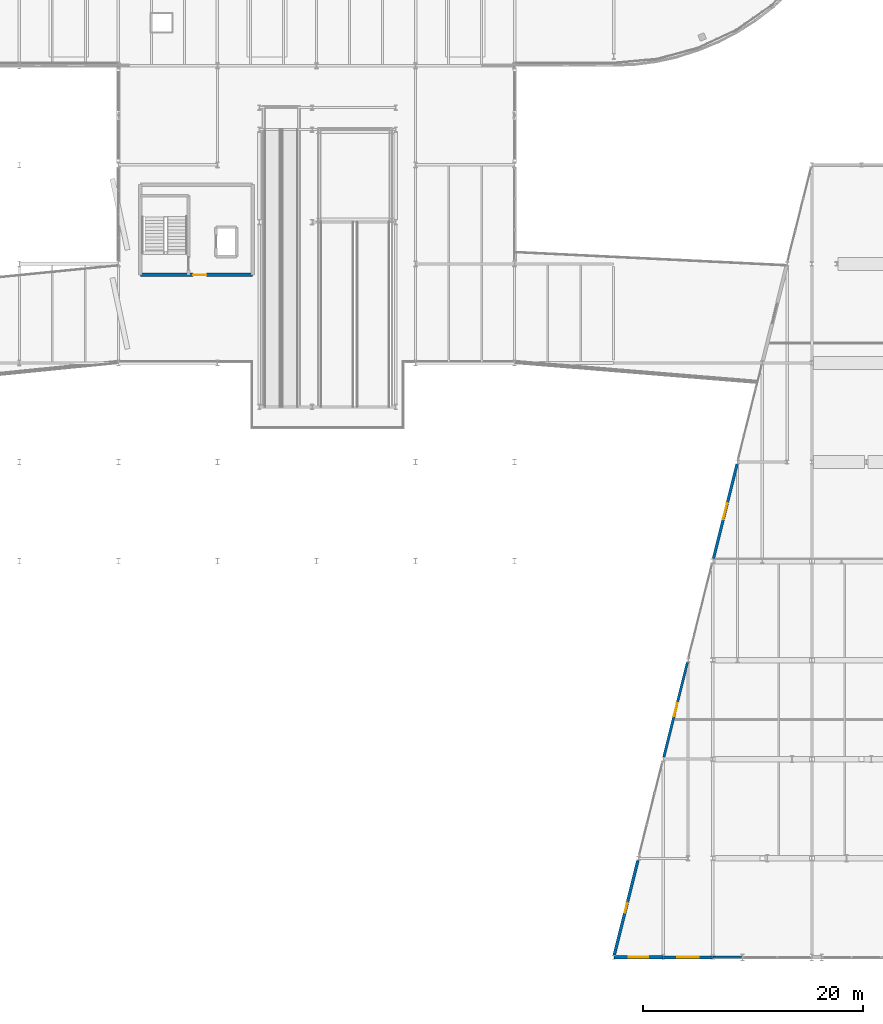
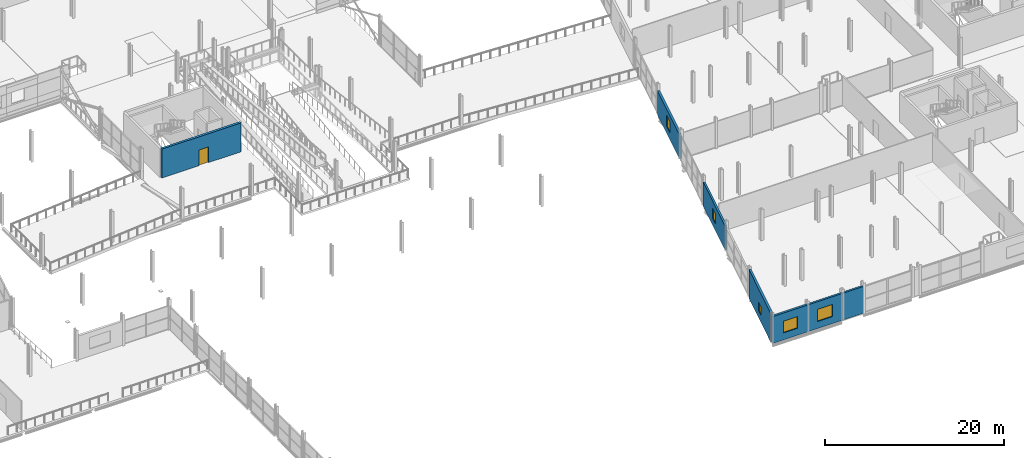
# One storey, part 113 of 135: 7 walls, 5 windows, 1 door, 6 openings.
"""IFC4 building model written with IfcOpenShell, lengths in metres."""

from ifc_helpers import new_model, si_unit, direction, frame, frame_2d, origin, place, context, subcontext, project, spatial, rectangle, extrude, material, layer, layer_set, type_object, element, fill, save


model = new_model("IFC4")

# Units and contexts
model_context = context("Model", 3, precision=1e-05, world=origin(), true_north=direction((0.0, 1.0)))
body_context = subcontext(model_context, "Body", "Model", "MODEL_VIEW")
ifc_project = project(units=[si_unit("LENGTHUNIT", "METRE"), si_unit("AREAUNIT", "SQUARE_METRE"), si_unit("VOLUMEUNIT", "CUBIC_METRE"), si_unit("PLANEANGLEUNIT", "RADIAN"), si_unit("MASSUNIT", "GRAM", prefix="KILO")], contexts=[model_context])

# Site, building, storey
site_placement = place(None, origin())
site = spatial("IfcSite", under=ifc_project, at=site_placement, CompositionType="ELEMENT")
building_placement = place(site_placement, origin())
building = spatial("IfcBuilding", under=site, at=building_placement, Name="Deido Ridge Mobility Hub", CompositionType="ELEMENT")
storey_placement = place(building_placement, frame((0.0, 0.0, 4.199951171875)))
storey = spatial("IfcBuildingStorey", under=building, at=storey_placement, Name="L01", CompositionType="ELEMENT", Elevation=4.199951171875)

# Wall, opening, window
ifc_material_1 = material(Name="Powder-coated aluminium cladding EN AW-3003", Category="aluminium")
ifc_layer_1 = layer(ifc_material_1, 0.22509765625, Name="Powder-coated aluminium cladding EN AW-3003")
ifc_layer_set_1 = layer_set([ifc_layer_1], Name="Powder-coated aluminium cladding EN AW-3003")
wall_type_1 = type_object("IfcWallType", Name="WL-EXT-ALU-225", PredefinedType="STANDARD", material=ifc_layer_set_1)
wall_1_placement = place(storey_placement, frame((121.55126953125, 18.20458984375, 0.0), z_axis=(0.0, 0.0, 1.0), x_axis=(0.242509676291, 0.970148986963, 0.0)))
wall_1 = element("IfcWall", 1, at=wall_1_placement, inside=storey, type_object=wall_type_1, Name="Exterior wall EW6", PredefinedType="STANDARD", context=body_context, shape_type="SweptSolid", body=[
    extrude(rectangle(XDim=8.855224609375, YDim=0.22509765625, at=frame_2d((4.427734375, 0.0))), origin(), (0.0, 0.0, 1.0), 3.320068359375),
])
opening_1_placement = place(wall_1_placement, frame((3.827392578125, 0.0, 0.949951171875)))
opening_1 = element("IfcOpeningElement", 2, at=opening_1_placement, cuts=wall_1, Name="Opening W3", PredefinedType="OPENING", context=body_context, shape_type="SweptSolid", body=[
    extrude(rectangle(XDim=1.199951171875, YDim=1.35009765625, at=frame_2d((0.60009765625, 0.675048828125))), frame((0.0, 0.12255859375, 0.0), z_axis=(0.0, -1.0, 0.0), x_axis=(1.0, 0.0, 0.0)), (0.0, 0.0, 1.0), 0.2451171875),
])
ifc_material_2 = material(Name="Laminated solar-control low-E glass", Category="glass")
window_type_1 = type_object("IfcWindowType", Name="WN-ALU-1200X1350", PartitioningType="SINGLE_PANEL", PredefinedType="WINDOW", material=ifc_material_2)
window_1_placement = place(opening_1_placement, origin())
window_1 = element("IfcWindow", 3, at=window_1_placement, inside=storey, type_object=window_type_1, Name="Exterior window W3", OverallHeight=1.35009765625, OverallWidth=1.199951171875, PartitioningType="SINGLE_PANEL", PredefinedType="WINDOW", context=body_context, shape_type="SweptSolid", body=[
    extrude(rectangle(XDim=1.199951171875, YDim=1.35009765625, at=frame_2d((0.60009765625, 0.675048828125))), frame((0.0, 0.030029296875, 0.0), z_axis=(0.0, -1.0, 0.0), x_axis=(1.0, 0.0, 0.0)), (0.0, 0.0, 1.0), 0.06005859375),
])
fill(opening_1, window_1)

# Wall
ifc_material_3 = material(Name="Concrete blockwork masonry", Category="masonry")
ifc_layer_2 = layer(ifc_material_3, 0.2451171875, Name="Concrete blockwork masonry")
ifc_layer_set_2 = layer_set([ifc_layer_2], Name="Concrete blockwork masonry")
wall_type_2 = type_object("IfcWallType", Name="WL-EXT-BLK-245", PredefinedType="STANDARD", material=ifc_layer_set_2)
wall_2_placement = place(storey_placement, frame((126.0087890625, 0.0, 0.0), z_axis=(0.0, 0.0, 1.0), x_axis=(1.0, 0.0, 0.0)))
element("IfcWall", 4, at=wall_2_placement, inside=storey, type_object=wall_type_2, Name="Exterior wall EW4", PredefinedType="STANDARD", context=body_context, shape_type="SweptSolid", body=[
    extrude(rectangle(XDim=2.68359375, YDim=0.2451171875, at=frame_2d((1.341796875, 0.0))), origin(), (0.0, 0.0, 1.0), 3.650146484375),
])

# Wall, opening, window
ifc_layer_3 = layer(ifc_material_3, 0.264892578125, Name="Concrete blockwork masonry")
ifc_layer_set_3 = layer_set([ifc_layer_3], Name="Concrete blockwork masonry")
wall_type_3 = type_object("IfcWallType", Name="WL-EXT-BLK-265", PredefinedType="STANDARD", material=ifc_layer_set_3)
wall_3_placement = place(storey_placement, frame((121.507080078125, 0.0, 0.0), z_axis=(0.0, 0.0, 1.0), x_axis=(1.0, 0.0, 0.0)))
wall_3 = element("IfcWall", 5, at=wall_3_placement, inside=storey, type_object=wall_type_3, Name="Exterior wall EW3", PredefinedType="STANDARD", context=body_context, shape_type="SweptSolid", body=[
    extrude(rectangle(XDim=4.484130859375, YDim=0.264892578125, at=frame_2d((2.2421875, 0.0))), origin(), (0.0, 0.0, 1.0), 3.650146484375),
])
opening_2_placement = place(wall_3_placement, frame((1.26708984375, 0.0, 0.949951171875)))
opening_2 = element("IfcOpeningElement", 6, at=opening_2_placement, cuts=wall_3, Name="Opening W8", PredefinedType="OPENING", context=body_context, shape_type="SweptSolid", body=[
    extrude(rectangle(XDim=1.949951171875, YDim=1.64990234375, at=frame_2d((0.97509765625, 0.824951171875))), frame((0.0, 0.142578125, 0.0), z_axis=(0.0, -1.0, 0.0), x_axis=(1.0, 0.0, 0.0)), (0.0, 0.0, 1.0), 0.284912109375),
])
window_type_2 = type_object("IfcWindowType", Name="WN-ALU-1950X1650", PartitioningType="DOUBLE_PANEL_VERTICAL", PredefinedType="WINDOW", material=ifc_material_2)
window_2_placement = place(opening_2_placement, origin())
window_2 = element("IfcWindow", 7, at=window_2_placement, inside=storey, type_object=window_type_2, Name="Exterior window W8", OverallHeight=1.64990234375, OverallWidth=1.949951171875, PartitioningType="SINGLE_PANEL", PredefinedType="WINDOW", context=body_context, shape_type="SweptSolid", body=[
    extrude(rectangle(XDim=1.949951171875, YDim=1.64990234375, at=frame_2d((0.97509765625, 0.824951171875))), frame((0.0, 0.030029296875, 0.0), z_axis=(0.0, -1.0, 0.0), x_axis=(1.0, 0.0, 0.0)), (0.0, 0.0, 1.0), 0.06005859375),
])
fill(opening_2, window_2)

wall_4_placement = place(storey_placement, frame((117.05126953125, 0.20458984375, 0.0), z_axis=(0.0, 0.0, 1.0), x_axis=(0.242509676291, 0.970148986963, 0.0)))
wall_4 = element("IfcWall", 8, at=wall_4_placement, inside=storey, type_object=wall_type_3, Name="Exterior wall EW3", PredefinedType="STANDARD", context=body_context, shape_type="SweptSolid", body=[
    extrude(rectangle(XDim=8.855224609375, YDim=0.264892578125, at=frame_2d((4.427734375, 0.0))), origin(), (0.0, 0.0, 1.0), 3.945068359375),
])
opening_3_placement = place(wall_4_placement, frame((3.9775390625, 0.0, 0.949951171875)))
opening_3 = element("IfcOpeningElement", 9, at=opening_3_placement, cuts=wall_4, Name="Opening W1", PredefinedType="OPENING", context=body_context, shape_type="SweptSolid", body=[
    extrude(rectangle(XDim=0.89990234375, YDim=1.199951171875, at=frame_2d((0.449951171875, 0.60009765625))), frame((0.0, 0.142578125, 0.0), z_axis=(0.0, -1.0, 0.0), x_axis=(1.0, 0.0, 0.0)), (0.0, 0.0, 1.0), 0.284912109375),
])
window_type_3 = type_object("IfcWindowType", Name="WN-ALU-900X1200", PartitioningType="SINGLE_PANEL", PredefinedType="WINDOW", material=ifc_material_2)
window_3_placement = place(opening_3_placement, origin())
window_3 = element("IfcWindow", 10, at=window_3_placement, inside=storey, type_object=window_type_3, Name="Exterior window W1", OverallHeight=1.199951171875, OverallWidth=0.89990234375, PartitioningType="SINGLE_PANEL", PredefinedType="WINDOW", context=body_context, shape_type="SweptSolid", body=[
    extrude(rectangle(XDim=0.89990234375, YDim=1.199951171875, at=frame_2d((0.449951171875, 0.60009765625))), frame((0.0, 0.030029296875, 0.0), z_axis=(0.0, -1.0, 0.0), x_axis=(1.0, 0.0, 0.0)), (0.0, 0.0, 1.0), 0.06005859375),
])
fill(opening_3, window_3)

ifc_material_4 = material(Name="Fired clay brick masonry", Category="masonry")
ifc_layer_4 = layer(ifc_material_4, 0.294921875, Name="Fired clay brick masonry")
ifc_layer_set_4 = layer_set([ifc_layer_4], Name="Fired clay brick masonry")
wall_type_4 = type_object("IfcWallType", Name="WL-EXT-BRK-295", PredefinedType="STANDARD", material=ifc_layer_set_4)
wall_5_placement = place(storey_placement, frame((117.006103515625, 0.0, 0.0), z_axis=(0.0, 0.0, 1.0), x_axis=(1.0, 0.0, 0.0)))
wall_5 = element("IfcWall", 11, at=wall_5_placement, inside=storey, type_object=wall_type_4, Name="Exterior wall EW2", PredefinedType="STANDARD", context=body_context, shape_type="SweptSolid", body=[
    extrude(rectangle(XDim=4.48681640625, YDim=0.294921875, at=frame_2d((2.243408203125, 0.0))), origin(), (0.0, 0.0, 1.0), 3.650146484375),
])
opening_4_placement = place(wall_5_placement, frame((1.343505859375, 0.0, 0.949951171875)))
opening_4 = element("IfcOpeningElement", 12, at=opening_4_placement, cuts=wall_5, Name="Opening W7", PredefinedType="OPENING", context=body_context, shape_type="SweptSolid", body=[
    extrude(rectangle(XDim=1.800048828125, YDim=1.60009765625, at=frame_2d((0.89990234375, 0.800048828125))), frame((0.0, 0.157470703125, 0.0), z_axis=(0.0, -1.0, 0.0), x_axis=(1.0, 0.0, 0.0)), (0.0, 0.0, 1.0), 0.31494140625),
])
window_type_4 = type_object("IfcWindowType", Name="WN-ALU-1800X1600", PartitioningType="DOUBLE_PANEL_VERTICAL", PredefinedType="WINDOW", material=ifc_material_2)
window_4_placement = place(opening_4_placement, origin())
window_4 = element("IfcWindow", 13, at=window_4_placement, inside=storey, type_object=window_type_4, Name="Exterior window W7", OverallHeight=1.60009765625, OverallWidth=1.800048828125, PartitioningType="SINGLE_PANEL", PredefinedType="WINDOW", context=body_context, shape_type="SweptSolid", body=[
    extrude(rectangle(XDim=1.800048828125, YDim=1.60009765625, at=frame_2d((0.89990234375, 0.800048828125))), frame((0.0, 0.030029296875, 0.0), z_axis=(0.0, -1.0, 0.0), x_axis=(1.0, 0.0, 0.0)), (0.0, 0.0, 1.0), 0.06005859375),
])
fill(opening_4, window_4)

ifc_layer_5 = layer(ifc_material_3, 0.2548828125, Name="Concrete blockwork masonry")
ifc_layer_set_5 = layer_set([ifc_layer_5], Name="Concrete blockwork masonry")
wall_type_5 = type_object("IfcWallType", Name="WL-PLG-BLK-255", PredefinedType="POLYGONAL", material=ifc_layer_set_5)
wall_6_placement = place(storey_placement, frame((126.05810546875, 36.23193359375, 0.0), z_axis=(0.0, 0.0, 1.0), x_axis=(0.242509593434, 0.970149007675, 0.0)))
wall_6 = element("IfcWall", 14, at=wall_6_placement, inside=storey, type_object=wall_type_5, Name="Exterior wall PGW2", PredefinedType="POLYGONAL", context=body_context, shape_type="SweptSolid", body=[
    extrude(rectangle(XDim=8.826904296875, YDim=0.2548828125, at=frame_2d((4.41357421875, 0.0))), origin(), (0.0, 0.0, 1.0), 3.320068359375),
])
opening_5_placement = place(wall_6_placement, frame((3.66357421875, 0.0, 0.949951171875)))
opening_5 = element("IfcOpeningElement", 15, at=opening_5_placement, cuts=wall_6, Name="Opening W5", PredefinedType="OPENING", context=body_context, shape_type="SweptSolid", body=[
    extrude(rectangle(XDim=1.5, YDim=1.5, at=frame_2d((0.75, 0.75))), frame((0.0, 0.137451171875, 0.0), z_axis=(0.0, -1.0, 0.0), x_axis=(1.0, 0.0, 0.0)), (0.0, 0.0, 1.0), 0.27490234375),
])
window_type_5 = type_object("IfcWindowType", Name="WN-ALU-1500X1500", PartitioningType="SINGLE_PANEL", PredefinedType="WINDOW", material=ifc_material_2)
window_5_placement = place(opening_5_placement, origin())
window_5 = element("IfcWindow", 16, at=window_5_placement, inside=storey, type_object=window_type_5, Name="Exterior window W5", OverallHeight=1.5, OverallWidth=1.5, PartitioningType="SINGLE_PANEL", PredefinedType="WINDOW", context=body_context, shape_type="SweptSolid", body=[
    extrude(rectangle(XDim=1.5, YDim=1.5, at=frame_2d((0.75, 0.75))), frame((0.0, 0.030029296875, 0.0), z_axis=(0.0, -1.0, 0.0), x_axis=(1.0, 0.0, 0.0)), (0.0, 0.0, 1.0), 0.06005859375),
])
fill(opening_5, window_5)

# Wall, opening, door
ifc_material_5 = material(Name="Concrete C40/50", Category="concrete")
ifc_layer_6 = layer(ifc_material_5, 0.300048828125, Name="Concrete C40/50")
ifc_layer_set_6 = layer_set([ifc_layer_6], Name="Concrete C40/50")
wall_type_6 = type_object("IfcWallType", Name="WL-SHR-RC-300", PredefinedType="SHEAR", material=ifc_layer_set_6)
wall_7_placement = place(storey_placement, frame((74.0, 62.0, 0.0), z_axis=(0.0, 0.0, 1.0), x_axis=(1.0, 0.0, 0.0)))
wall_7 = element("IfcWall", 17, at=wall_7_placement, inside=storey, type_object=wall_type_6, Name="C4 south shear wall", PredefinedType="SHEAR", context=body_context, shape_type="SweptSolid", body=[
    extrude(rectangle(XDim=10.199951171875, YDim=0.300048828125, at=frame_2d((5.10009765625, 0.0))), origin(), (0.0, 0.0, 1.0), 3.945068359375),
])
opening_6_placement = place(wall_7_placement, frame((4.800048828125, 0.0, 0.0)))
opening_6 = element("IfcOpeningElement", 18, at=opening_6_placement, cuts=wall_7, Name="Opening LD-C4-086", PredefinedType="OPENING", context=body_context, shape_type="SweptSolid", body=[
    extrude(rectangle(XDim=1.199951171875, YDim=2.14990234375, at=frame_2d((0.60009765625, 1.074951171875))), frame((0.0, 0.16015625, 0.0), z_axis=(0.0, -1.0, 0.0), x_axis=(1.0, 0.0, 0.0)), (0.0, 0.0, 1.0), 0.320068359375),
])
ifc_material_6 = material(Name="Galvanised steel work", Category="steel")
door_type = type_object("IfcDoorType", Name="DR-FD60-1200X2150", OperationType="NOTDEFINED", PredefinedType="DOOR", material=ifc_material_6)
door_placement = place(opening_6_placement, origin())
door = element("IfcDoor", 19, at=door_placement, inside=storey, type_object=door_type, Name="DR-I0086 C4 lift lobby door (L01)", OperationType="SINGLE_SWING_RIGHT", OverallHeight=2.14990234375, OverallWidth=1.199951171875, PredefinedType="DOOR", context=body_context, shape_type="SweptSolid", body=[
    extrude(rectangle(XDim=1.199951171875, YDim=2.14990234375, at=frame_2d((0.60009765625, 1.074951171875))), frame((0.0, 0.02490234375, 0.0), z_axis=(0.0, -1.0, 0.0), x_axis=(1.0, 0.0, 0.0)), (0.0, 0.0, 1.0), 0.050048828125),
])
fill(opening_6, door)

save(model, "model.ifc")
